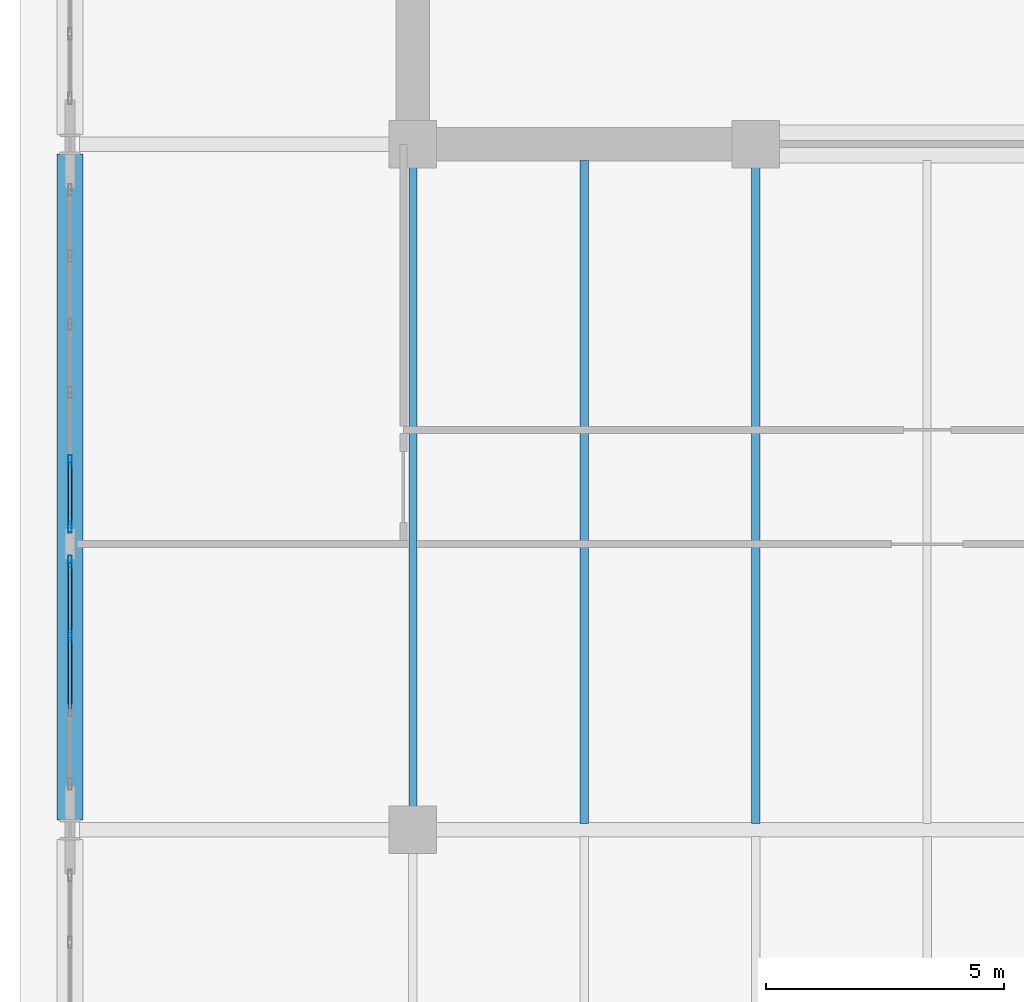
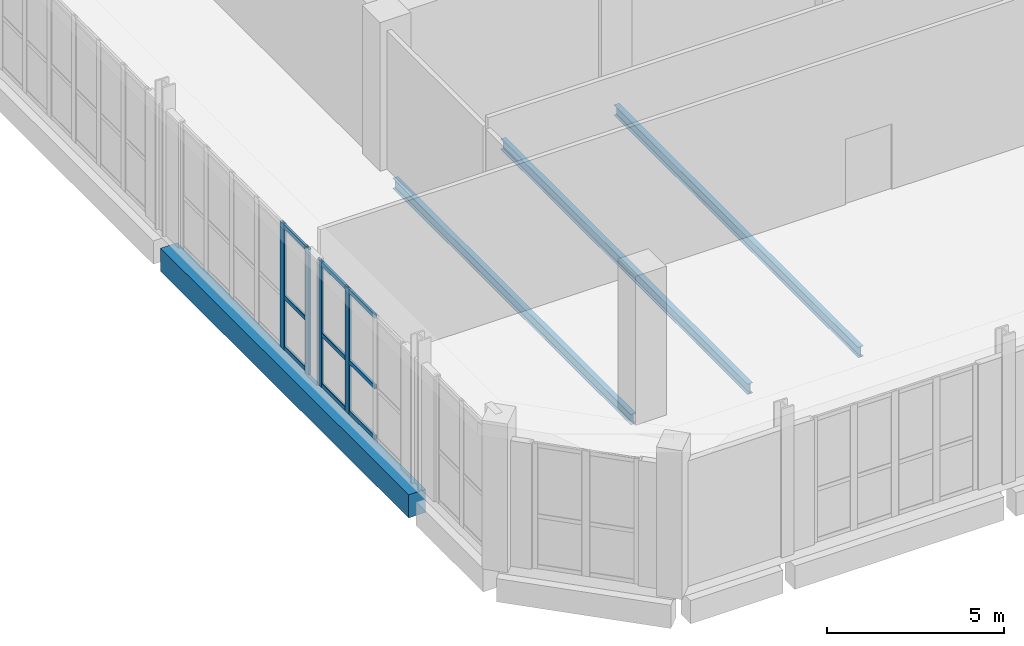
# One storey, part 3 of 26: 13 members, 4 beams, 2 elements without a shape of their own.
"""IFC4 building model written with IfcOpenShell, lengths in metres."""

from ifc_helpers import new_model, si_unit, direction, frame, origin, origin_2d, place, context, subcontext, project, spatial, rectangle, hollow_rectangle, i_section, extrude, material, layer, layer_set, material_profile, profile_set, type_object, element, aggregate, save


model = new_model("IFC4")

# Units and contexts
model_context = context("Model", 3, precision=1e-05, world=origin(), true_north=direction((0.0, 1.0)))
body_context = subcontext(model_context, "Body", "Model", "MODEL_VIEW")
ifc_project = project(units=[si_unit("LENGTHUNIT", "METRE"), si_unit("AREAUNIT", "SQUARE_METRE"), si_unit("VOLUMEUNIT", "CUBIC_METRE"), si_unit("PLANEANGLEUNIT", "RADIAN"), si_unit("MASSUNIT", "GRAM", prefix="KILO")], contexts=[model_context])

# Site, building, storey
site_placement = place(None, origin())
site = spatial("IfcSite", under=ifc_project, at=site_placement, CompositionType="ELEMENT")
building_placement = place(site_placement, origin())
building = spatial("IfcBuilding", under=site, at=building_placement, Name="Kaelvorn Grand Hotel", CompositionType="ELEMENT")
storey_placement = place(building_placement, frame((0.0, 0.0, 300.199951171875)))
storey = spatial("IfcBuildingStorey", under=building, at=storey_placement, Name="L73", CompositionType="ELEMENT", Elevation=300.199951171875)

# Beams
ifc_material_1 = material(Name="Steel S355", Category="steel")
ifc_material_profile_1 = material_profile(ifc_material_1, i_section(OverallWidth=0.169921875, OverallDepth=0.360107421875, WebThickness=0.008056640625, FlangeThickness=0.0126953125, FilletRadius=0.01806640625, at=origin_2d()), Name="IPE 360")
ifc_profile_set_1 = profile_set([ifc_material_profile_1], Name="Steel S355")
beam_type_1 = type_object("IfcBeamType", Name="BM-J-IPE360-S355", PredefinedType="JOIST", material=ifc_profile_set_1)
beam_1_placement = place(storey_placement, frame((16.199951171875, 15.485107421875, -0.56005859375), z_axis=(0.0, 1.0, 0.0), x_axis=(-1.0, 0.0, 0.0)))
element("IfcBeam", 1, at=beam_1_placement, inside=storey, type_object=beam_type_1, Name="L73 Composite Floor Joist JM-05", PredefinedType="JOIST", context=body_context, shape_type="SweptSolid", body=[
    extrude(i_section(OverallWidth=0.169921875, OverallDepth=0.360107421875, WebThickness=0.008056640625, FlangeThickness=0.0126953125, FilletRadius=0.01806640625, at=origin_2d()), origin(), (0.0, 0.0, 1.0), 13.429931640625),
])
beam_2_placement = place(storey_placement, frame((19.800048828125, 15.135986328125, -0.56005859375), z_axis=(0.0, 1.0, 0.0), x_axis=(-1.0, 0.0, 0.0)))
element("IfcBeam", 2, at=beam_2_placement, inside=storey, type_object=beam_type_1, Name="L73 Composite Floor Joist JM-06", PredefinedType="JOIST", context=body_context, shape_type="SweptSolid", body=[
    extrude(i_section(OverallWidth=0.169921875, OverallDepth=0.360107421875, WebThickness=0.008056640625, FlangeThickness=0.0126953125, FilletRadius=0.01806640625, at=origin_2d()), origin(), (0.0, 0.0, 1.0), 13.924072265625),
])
beam_3_placement = place(storey_placement, frame((23.39990234375, 15.135986328125, -0.56005859375), z_axis=(0.0, 1.0, 0.0), x_axis=(-1.0, 0.0, 0.0)))
element("IfcBeam", 3, at=beam_3_placement, inside=storey, type_object=beam_type_1, Name="L73 Composite Floor Joist JM-07", PredefinedType="JOIST", context=body_context, shape_type="SweptSolid", body=[
    extrude(i_section(OverallWidth=0.169921875, OverallDepth=0.360107421875, WebThickness=0.008056640625, FlangeThickness=0.0126953125, FilletRadius=0.01806640625, at=origin_2d()), origin(), (0.0, 0.0, 1.0), 13.779052734375),
])
ifc_material_2 = material(Name="Concrete C50/60", Category="concrete")
ifc_material_profile_2 = material_profile(ifc_material_2, rectangle(XDim=0.550048828125, YDim=0.800048828125, at=origin_2d()), Name="RC SPANDREL 550x800")
ifc_profile_set_2 = profile_set([ifc_material_profile_2], Name="Concrete C50/60")
beam_type_2 = type_object("IfcBeamType", Name="BM-SP-550x800-C50", PredefinedType="SPANDREL", material=ifc_profile_set_2)
beam_4_placement = place(storey_placement, frame((9.0, 15.205078125, -0.780029296875), z_axis=(0.0, 1.0, 0.0), x_axis=(-1.0, 0.0, 0.0)))
element("IfcBeam", 4, at=beam_4_placement, inside=storey, type_object=beam_type_2, Name="L73 West Perimeter Spandrel 02", PredefinedType="SPANDREL", context=body_context, shape_type="SweptSolid", body=[
    extrude(rectangle(XDim=0.550048828125, YDim=0.800048828125, at=origin_2d()), origin(), (0.0, 0.0, 1.0), 13.989990234375),
])

# Curtain wall, members
ifc_material_3 = material(Name="Anodised Aluminium", Category="aluminium")
ifc_layer = layer(ifc_material_3, 0.239990234375)
ifc_layer_set = layer_set([ifc_layer], Name="Anodised Aluminium")
curtain_wall_type = type_object("IfcCurtainWallType", Name="CW-SYS5", PredefinedType="NOTDEFINED", material=ifc_layer_set)
curtain_wall_1_placement = place(storey_placement, origin())
curtain_wall_1 = element("IfcCurtainWall", 5, at=curtain_wall_1_placement, inside=storey, type_object=curtain_wall_type, Name="L73 Unitised Curtain Wall CW5 (CW-L73-W-03)", PredefinedType="NOTDEFINED")
ifc_material_profile_3 = material_profile(ifc_material_3, hollow_rectangle(XDim=0.080078125, YDim=0.239990234375, WallThickness=0.0048828125, InnerFilletRadius=0.0048828125, OuterFilletRadius=0.010009765625, at=origin_2d()), Name="ALU MULL 80x240")
ifc_profile_set_3 = profile_set([ifc_material_profile_3], Name="Anodised Aluminium")
member_type_1 = type_object("IfcMemberType", Name="CW-SYS5-MULL", PredefinedType="MULLION", material=ifc_profile_set_3)
member_1_placement = place(storey_placement, frame((9.0, 22.751953125, 0.0), z_axis=(0.0, 0.0, 1.0), x_axis=(1.0, 0.0, 0.0)))
member_1 = element("IfcMember", 6, at=member_1_placement, type_object=member_type_1, Name="CW5 mullion 5", PredefinedType="MULLION", context=body_context, shape_type="SweptSolid", body=[
    extrude(hollow_rectangle(XDim=0.080078125, YDim=0.239990234375, WallThickness=0.0048828125, InnerFilletRadius=0.0048828125, OuterFilletRadius=0.010009765625, at=origin_2d()), origin(), (0.0, 0.0, 1.0), 4.320068359375),
])
member_2_placement = place(storey_placement, frame((9.0, 21.360107421875, 0.0), z_axis=(0.0, 0.0, 1.0), x_axis=(1.0, 0.0, 0.0)))
member_2 = element("IfcMember", 7, at=member_2_placement, type_object=member_type_1, Name="CW5 mullion 6", PredefinedType="MULLION", context=body_context, shape_type="SweptSolid", body=[
    extrude(hollow_rectangle(XDim=0.080078125, YDim=0.239990234375, WallThickness=0.0048828125, InnerFilletRadius=0.0048828125, OuterFilletRadius=0.010009765625, at=origin_2d()), origin(), (0.0, 0.0, 1.0), 4.320068359375),
])

curtain_wall_2_placement = place(storey_placement, origin())
curtain_wall_2 = element("IfcCurtainWall", 8, at=curtain_wall_2_placement, inside=storey, type_object=curtain_wall_type, Name="L73 Unitised Curtain Wall CW5 (CW-L73-W-02)", PredefinedType="NOTDEFINED")
member_3_placement = place(storey_placement, frame((9.0, 20.639892578125, 0.0), z_axis=(0.0, 0.0, 1.0), x_axis=(1.0, 0.0, 0.0)))
member_3 = element("IfcMember", 9, at=member_3_placement, type_object=member_type_1, Name="CW5 mullion 1", PredefinedType="MULLION", context=body_context, shape_type="SweptSolid", body=[
    extrude(hollow_rectangle(XDim=0.080078125, YDim=0.239990234375, WallThickness=0.0048828125, InnerFilletRadius=0.0048828125, OuterFilletRadius=0.010009765625, at=origin_2d()), origin(), (0.0, 0.0, 1.0), 4.320068359375),
])
member_4_placement = place(storey_placement, frame((9.0, 19.09326171875, 0.0), z_axis=(0.0, 0.0, 1.0), x_axis=(1.0, 0.0, 0.0)))
member_4 = element("IfcMember", 10, at=member_4_placement, type_object=member_type_1, Name="CW5 mullion 2", PredefinedType="MULLION", context=body_context, shape_type="SweptSolid", body=[
    extrude(hollow_rectangle(XDim=0.080078125, YDim=0.239990234375, WallThickness=0.0048828125, InnerFilletRadius=0.0048828125, OuterFilletRadius=0.010009765625, at=origin_2d()), origin(), (0.0, 0.0, 1.0), 4.320068359375),
])

# Member
ifc_material_profile_4 = material_profile(ifc_material_3, hollow_rectangle(XDim=0.074951171875, YDim=0.14990234375, WallThickness=0.00390625, InnerFilletRadius=0.00390625, OuterFilletRadius=0.008056640625, at=origin_2d()), Name="ALU TRAN 75x150")
ifc_profile_set_4 = profile_set([ifc_material_profile_4], Name="Anodised Aluminium")
member_type_2 = type_object("IfcMemberType", Name="CW-SYS5-TRAN", PredefinedType="NOTDEFINED", material=ifc_profile_set_4)
member_5_placement = place(storey_placement, frame((9.0, 22.7119140625, 0.074951171875), z_axis=(0.0, -1.0, 0.0), x_axis=(1.0, 0.0, 0.0)))
member_5 = element("IfcMember", 11, at=member_5_placement, type_object=member_type_2, Name="CW5 transom 5.1", ObjectType="TRANSOM", PredefinedType="USERDEFINED", context=body_context, shape_type="SweptSolid", body=[
    extrude(hollow_rectangle(XDim=0.074951171875, YDim=0.14990234375, WallThickness=0.00390625, InnerFilletRadius=0.00390625, OuterFilletRadius=0.008056640625, at=origin_2d()), origin(), (0.0, 0.0, 1.0), 1.31201171875),
])

member_6_placement = place(storey_placement, frame((9.0, 22.7119140625, 1.814453125), z_axis=(0.0, -1.0, 0.0), x_axis=(1.0, 0.0, 0.0)))
member_6 = element("IfcMember", 12, at=member_6_placement, type_object=member_type_2, Name="CW5 transom 5.2", ObjectType="TRANSOM", PredefinedType="USERDEFINED", context=body_context, shape_type="SweptSolid", body=[
    extrude(hollow_rectangle(XDim=0.074951171875, YDim=0.14990234375, WallThickness=0.00390625, InnerFilletRadius=0.00390625, OuterFilletRadius=0.008056640625, at=origin_2d()), origin(), (0.0, 0.0, 1.0), 1.31201171875),
])

member_7_placement = place(storey_placement, frame((9.0, 22.7119140625, 4.2451171875), z_axis=(0.0, -1.0, 0.0), x_axis=(1.0, 0.0, 0.0)))
member_7 = element("IfcMember", 13, at=member_7_placement, type_object=member_type_2, Name="CW5 transom 5.3", ObjectType="TRANSOM", PredefinedType="USERDEFINED", context=body_context, shape_type="SweptSolid", body=[
    extrude(hollow_rectangle(XDim=0.074951171875, YDim=0.14990234375, WallThickness=0.00390625, InnerFilletRadius=0.00390625, OuterFilletRadius=0.008056640625, at=origin_2d()), origin(), (0.0, 0.0, 1.0), 1.31201171875),
])

aggregate(curtain_wall_1, [member_1, member_2, member_5, member_6, member_7])

member_8_placement = place(storey_placement, frame((9.0, 20.60009765625, 0.074951171875), z_axis=(0.0, -1.0, 0.0), x_axis=(1.0, 0.0, 0.0)))
member_8 = element("IfcMember", 14, at=member_8_placement, type_object=member_type_2, Name="CW5 transom 1.1", ObjectType="TRANSOM", PredefinedType="USERDEFINED", context=body_context, shape_type="SweptSolid", body=[
    extrude(hollow_rectangle(XDim=0.074951171875, YDim=0.14990234375, WallThickness=0.00390625, InnerFilletRadius=0.00390625, OuterFilletRadius=0.008056640625, at=origin_2d()), origin(), (0.0, 0.0, 1.0), 1.466796875),
])

member_9_placement = place(storey_placement, frame((9.0, 20.60009765625, 1.814453125), z_axis=(0.0, -1.0, 0.0), x_axis=(1.0, 0.0, 0.0)))
member_9 = element("IfcMember", 15, at=member_9_placement, type_object=member_type_2, Name="CW5 transom 1.2", ObjectType="TRANSOM", PredefinedType="USERDEFINED", context=body_context, shape_type="SweptSolid", body=[
    extrude(hollow_rectangle(XDim=0.074951171875, YDim=0.14990234375, WallThickness=0.00390625, InnerFilletRadius=0.00390625, OuterFilletRadius=0.008056640625, at=origin_2d()), origin(), (0.0, 0.0, 1.0), 1.466796875),
])

member_10_placement = place(storey_placement, frame((9.0, 20.60009765625, 4.2451171875), z_axis=(0.0, -1.0, 0.0), x_axis=(1.0, 0.0, 0.0)))
member_10 = element("IfcMember", 16, at=member_10_placement, type_object=member_type_2, Name="CW5 transom 1.3", ObjectType="TRANSOM", PredefinedType="USERDEFINED", context=body_context, shape_type="SweptSolid", body=[
    extrude(hollow_rectangle(XDim=0.074951171875, YDim=0.14990234375, WallThickness=0.00390625, InnerFilletRadius=0.00390625, OuterFilletRadius=0.008056640625, at=origin_2d()), origin(), (0.0, 0.0, 1.0), 1.466796875),
])

member_11_placement = place(storey_placement, frame((9.0, 19.05322265625, 0.074951171875), z_axis=(0.0, -1.0, 0.0), x_axis=(1.0, 0.0, 0.0)))
member_11 = element("IfcMember", 17, at=member_11_placement, type_object=member_type_2, Name="CW5 transom 2.1", ObjectType="TRANSOM", PredefinedType="USERDEFINED", context=body_context, shape_type="SweptSolid", body=[
    extrude(hollow_rectangle(XDim=0.074951171875, YDim=0.14990234375, WallThickness=0.00390625, InnerFilletRadius=0.00390625, OuterFilletRadius=0.008056640625, at=origin_2d()), origin(), (0.0, 0.0, 1.0), 1.506591796875),
])

member_12_placement = place(storey_placement, frame((9.0, 19.05322265625, 1.814453125), z_axis=(0.0, -1.0, 0.0), x_axis=(1.0, 0.0, 0.0)))
member_12 = element("IfcMember", 18, at=member_12_placement, type_object=member_type_2, Name="CW5 transom 2.2", ObjectType="TRANSOM", PredefinedType="USERDEFINED", context=body_context, shape_type="SweptSolid", body=[
    extrude(hollow_rectangle(XDim=0.074951171875, YDim=0.14990234375, WallThickness=0.00390625, InnerFilletRadius=0.00390625, OuterFilletRadius=0.008056640625, at=origin_2d()), origin(), (0.0, 0.0, 1.0), 1.506591796875),
])

member_13_placement = place(storey_placement, frame((9.0, 19.05322265625, 4.2451171875), z_axis=(0.0, -1.0, 0.0), x_axis=(1.0, 0.0, 0.0)))
member_13 = element("IfcMember", 19, at=member_13_placement, type_object=member_type_2, Name="CW5 transom 2.3", ObjectType="TRANSOM", PredefinedType="USERDEFINED", context=body_context, shape_type="SweptSolid", body=[
    extrude(hollow_rectangle(XDim=0.074951171875, YDim=0.14990234375, WallThickness=0.00390625, InnerFilletRadius=0.00390625, OuterFilletRadius=0.008056640625, at=origin_2d()), origin(), (0.0, 0.0, 1.0), 1.506591796875),
])

aggregate(curtain_wall_2, [member_3, member_4, member_8, member_9, member_10, member_11, member_12, member_13])

save(model, "model.ifc")
